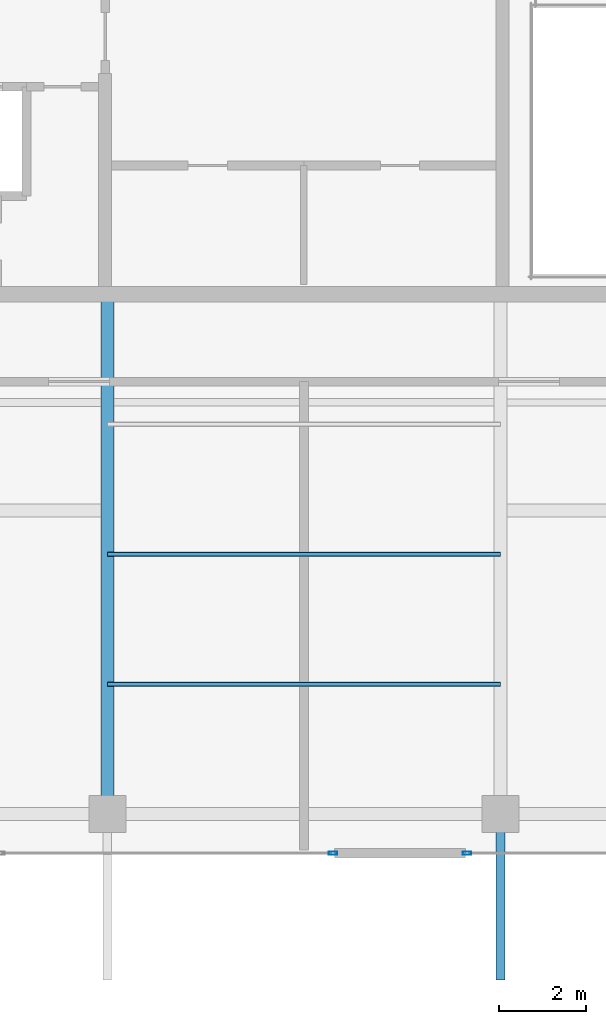
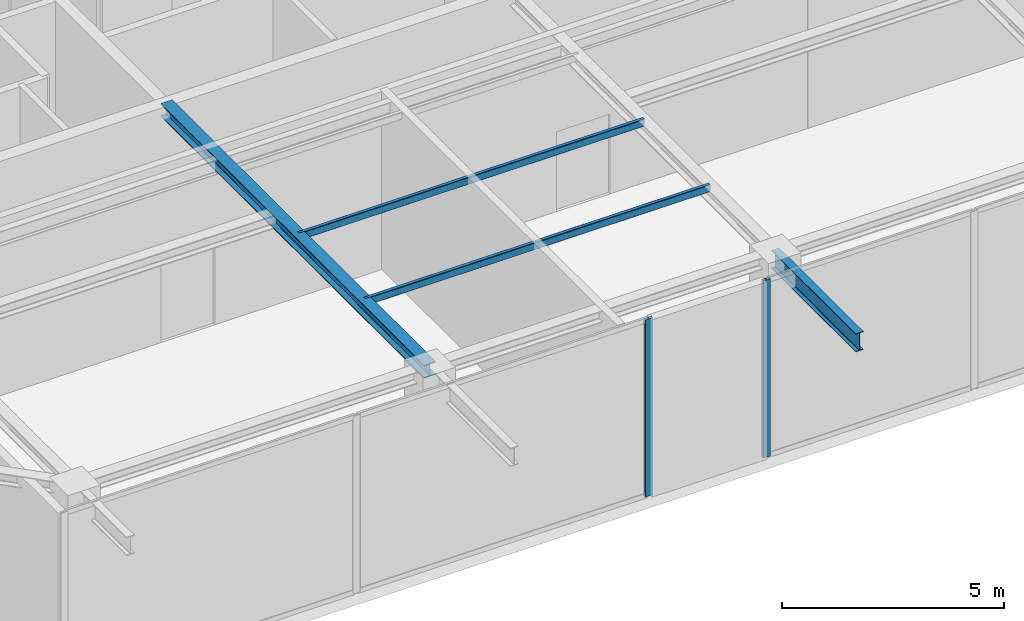
# One storey, part 6 of 27: 4 members, 2 beams, 2 elements without a shape of their own.
"""IFC4 building model written with IfcOpenShell, lengths in metres."""

from ifc_helpers import new_model, si_unit, direction, frame, origin, origin_2d, place, context, subcontext, project, spatial, hollow_rectangle, i_section, extrude, source, transform, mapped, material, layer, layer_set, material_profile, profile_set, type_object, element, aggregate, save


model = new_model("IFC4")

# Units and contexts
model_context = context("Model", 3, precision=1e-05, world=origin(), true_north=direction((0.0, 1.0)))
body_context = subcontext(model_context, "Body", "Model", "MODEL_VIEW")
ifc_project = project(units=[si_unit("LENGTHUNIT", "METRE"), si_unit("AREAUNIT", "SQUARE_METRE"), si_unit("VOLUMEUNIT", "CUBIC_METRE"), si_unit("PLANEANGLEUNIT", "RADIAN"), si_unit("MASSUNIT", "GRAM", prefix="KILO")], contexts=[model_context])

# Site, building, storey
site_placement = place(None, origin())
site = spatial("IfcSite", under=ifc_project, at=site_placement, CompositionType="ELEMENT")
building_placement = place(site_placement, origin())
building = spatial("IfcBuilding", under=site, at=building_placement, Name="Serunith Strait Residences", CompositionType="ELEMENT")
storey_placement = place(building_placement, frame((0.0, 0.0, 365.75)))
storey = spatial("IfcBuildingStorey", under=building, at=storey_placement, Name="L89", CompositionType="ELEMENT", Elevation=365.75)

# Beams
ifc_material_1 = material(Name="Steel S355J2", Category="steel")
ifc_material_profile_1 = material_profile(ifc_material_1, i_section(OverallWidth=0.300048828125, OverallDepth=0.360107421875, WebThickness=0.012451171875, FlangeThickness=0.0224609375, FilletRadius=0.027099609375, at=origin_2d()), Name="HEB 360")
ifc_profile_set_1 = profile_set([ifc_material_profile_1], Name="Steel S355J2")
beam_type_1 = type_object("IfcBeamType", Name="BM-HEB360", PredefinedType="BEAM", material=ifc_profile_set_1)
shared_shape_1 = source(origin(), body_context, "Body", "SweptSolid", [
    extrude(i_section(OverallWidth=0.300048828125, OverallDepth=0.360107421875, WebThickness=0.012451171875, FlangeThickness=0.0224609375, FilletRadius=0.027099609375, at=origin_2d()), origin(), (0.0, 0.0, 1.0), 11.900146484375),
])
beam_1_placement = place(storey_placement, frame((27.89990234375, 16.800048828125, 4.717041015625), z_axis=(0.0, -1.0, 0.0), x_axis=(1.0, 0.0, 0.0)))
element("IfcBeam", 1, at=beam_1_placement, inside=storey, type_object=beam_type_1, Name="L89 Primary Floor Girder TC-S2", PredefinedType="BEAM", context=body_context, shape_type="MappedRepresentation", body=[
    mapped(shared_shape_1, transform((0.0, 0.0, 0.0), scale=1.0)),
])
ifc_material_profile_2 = material_profile(ifc_material_1, i_section(OverallWidth=0.199951171875, OverallDepth=0.5, WebThickness=0.01025390625, FlangeThickness=0.01611328125, FilletRadius=0.02099609375, at=origin_2d()), Name="IPE 500")
ifc_profile_set_2 = profile_set([ifc_material_profile_2], Name="Steel S355J2")
beam_type_2 = type_object("IfcBeamType", Name="BM-IPE500", PredefinedType="JOIST", material=ifc_profile_set_2)
shared_shape_2 = source(origin(), body_context, "Body", "SweptSolid", [
    extrude(i_section(OverallWidth=0.199951171875, OverallDepth=0.5, WebThickness=0.01025390625, FlangeThickness=0.01611328125, FilletRadius=0.02099609375, at=origin_2d()), origin(), (0.0, 0.0, 1.0), 3.7998046875),
])
beam_2_placement = place(storey_placement, frame((36.89990234375, 4.89990234375, 4.64697265625), z_axis=(0.0, -1.0, 0.0), x_axis=(1.0, 0.0, 0.0)))
element("IfcBeam", 2, at=beam_2_placement, inside=storey, type_object=beam_type_2, Name="Crown Canopy Cantilever Rafter TC-S3", PredefinedType="JOIST", context=body_context, shape_type="MappedRepresentation", body=[
    mapped(shared_shape_2, transform((0.0, 0.0, 0.0), scale=1.0)),
])

# Members
ifc_material_profile_3 = material_profile(ifc_material_1, hollow_rectangle(XDim=0.10009765625, YDim=0.199951171875, WallThickness=0.008056640625, InnerFilletRadius=0.011962890625, OuterFilletRadius=0.02001953125, at=origin_2d()), Name="RHS 200x100x8")
ifc_profile_set_3 = profile_set([ifc_material_profile_3], Name="Steel S355J2")
member_type_1 = type_object("IfcMemberType", Name="MBR-BRACE-RHS200", PredefinedType="PURLIN", material=ifc_profile_set_3)
shared_shape_3 = source(origin(), body_context, "Body", "SweptSolid", [
    extrude(hollow_rectangle(XDim=0.10009765625, YDim=0.199951171875, WallThickness=0.008056640625, InnerFilletRadius=0.011962890625, OuterFilletRadius=0.02001953125, at=origin_2d()), origin(), (0.0, 0.0, 1.0), 9.0),
])
for number, where, z_axis, x_axis, name in (
    (3, (27.89990234375, 7.875, 4.797119140625), (1.0, 0.0, 0.0), (0.0, 1.0, 0.0), "Crown Canopy Steel Purlin 01"),
    (4, (27.89990234375, 10.85009765625, 4.797119140625), (1.0, 0.0, 0.0), (0.0, 1.0, 0.0), "Crown Canopy Steel Purlin 02"),
):
    element("IfcMember", number, at=place(storey_placement, frame(where, z_axis=z_axis, x_axis=x_axis)), inside=storey, type_object=member_type_1, Name=name, PredefinedType="PURLIN", context=body_context, shape_type="MappedRepresentation", body=[
        mapped(shared_shape_3, transform((0.0, 0.0, 0.0), scale=1.0)),
    ])

# Curtain wall, member
ifc_material_2 = material(Name="Pale-Silver Anodised Aluminium", Category="aluminium")
ifc_layer = layer(ifc_material_2, 0.199951171875, Name="Pale-Silver Anodised Aluminium")
ifc_layer_set = layer_set([ifc_layer], Name="Pale-Silver Anodised Aluminium")
curtain_wall_type = type_object("IfcCurtainWallType", Name="CW-SYS7", PredefinedType="NOTDEFINED", material=ifc_layer_set)
curtain_wall_1_placement = place(storey_placement, origin())
curtain_wall_1 = element("IfcCurtainWall", 5, at=curtain_wall_1_placement, inside=storey, type_object=curtain_wall_type, Name="L89 S Unitised Fritted Curtain Wall", PredefinedType="NOTDEFINED")
ifc_material_profile_4 = material_profile(ifc_material_2, hollow_rectangle(XDim=0.072021484375, YDim=0.195068359375, WallThickness=0.00390625, InnerFilletRadius=0.006103515625, OuterFilletRadius=0.010009765625, at=origin_2d()), Name="ALU 195x72x4")
ifc_profile_set_4 = profile_set([ifc_material_profile_4], Name="Pale-Silver Anodised Aluminium")
member_type_2 = type_object("IfcMemberType", Name="CW-SYS7-MULL", PredefinedType="MULLION", material=ifc_profile_set_4)
shared_shape_4 = source(origin(), body_context, "Body", "SweptSolid", [
    extrude(hollow_rectangle(XDim=0.072021484375, YDim=0.195068359375, WallThickness=0.00390625, InnerFilletRadius=0.006103515625, OuterFilletRadius=0.010009765625, at=origin_2d()), origin(), (0.0, 0.0, 1.0), 4.885009765625),
])
member_1_placement = place(storey_placement, frame((33.06396484375, 4.0, 0.0), z_axis=(0.0, 0.0, 1.0), x_axis=(0.0, 1.0, 0.0)))
member_1 = element("IfcMember", 6, at=member_1_placement, type_object=member_type_2, Name="CW-7 mullion 3", PredefinedType="MULLION", context=body_context, shape_type="MappedRepresentation", body=[
    mapped(shared_shape_4, transform((0.0, 0.0, 0.0), scale=1.0)),
])
aggregate(curtain_wall_1, [member_1])

curtain_wall_2_placement = place(storey_placement, origin())
curtain_wall_2 = element("IfcCurtainWall", 7, at=curtain_wall_2_placement, inside=storey, type_object=curtain_wall_type, Name="L89 S Unitised Fritted Curtain Wall", PredefinedType="NOTDEFINED")
member_2_placement = place(storey_placement, frame((36.135986328125, 4.0, 0.0), z_axis=(0.0, 0.0, 1.0), x_axis=(0.0, 1.0, 0.0)))
member_2 = element("IfcMember", 8, at=member_2_placement, type_object=member_type_2, Name="CW-7 mullion 1", PredefinedType="MULLION", context=body_context, shape_type="MappedRepresentation", body=[
    mapped(shared_shape_4, transform((0.0, 0.0, 0.0), scale=1.0)),
])
aggregate(curtain_wall_2, [member_2])

save(model, "model.ifc")
